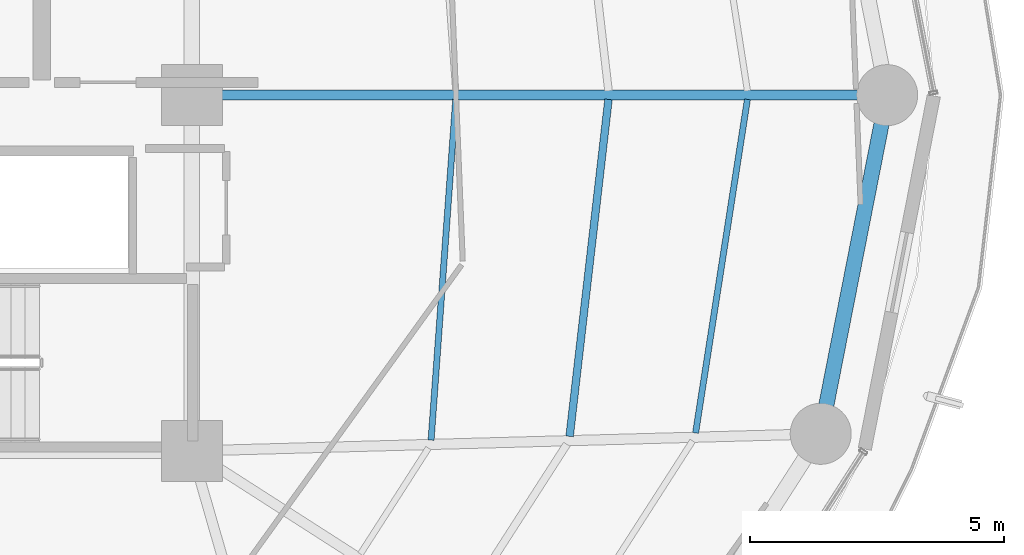
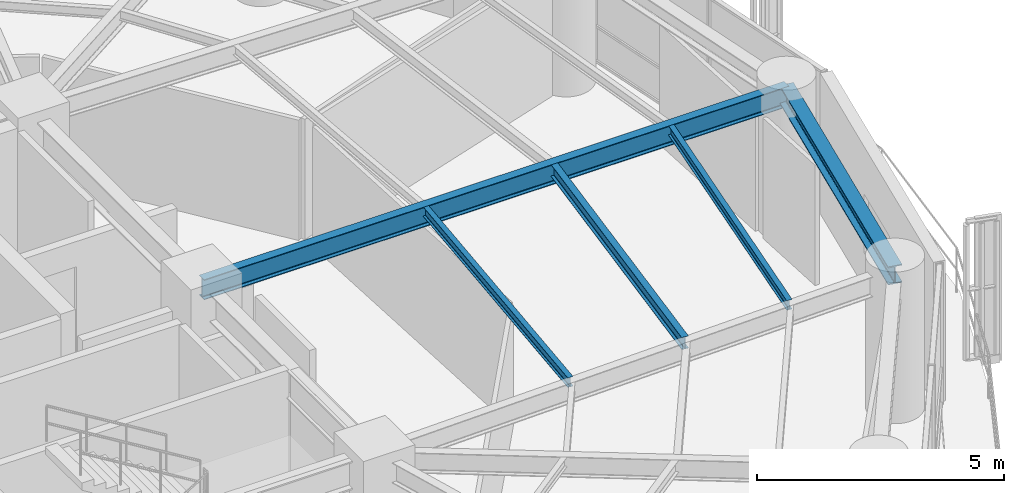
# One storey, part 12 of 27: 5 beams.
"""IFC4 building model written with IfcOpenShell, lengths in metres."""

import ifcopenshell
import ifcopenshell.guid

model = None  # the IFC model being written
_history = None  # IfcOwnerHistory: only IFC2X3 demands one
_inside = {}  # id of a spatial element -> (the spatial element, [elements in it])
_under = {}  # id of a project, library or spatial element -> (it, [spatial elements below it])
_declared = {}  # id of a project -> (the project, [libraries it declares])
_typed = {}  # id of a type object -> (the type object, [elements of that type])
_made_of = {}  # id of a material, layer set ... -> (it, [elements and type objects made of it])


def new_model(schema):
    """Start an empty IFC model of exactly this schema.

    Asked for "IFC4X3", IfcOpenShell would pick the latest addendum, in which some entities
    have other attributes; the version numbers below select the first issue.
    IFC2X3 requires an IfcOwnerHistory on every rooted entity: one is made here for all.
    """
    global model, _history
    if schema == "IFC4X3":
        model = ifcopenshell.file(schema_version=(4, 3, 0, 0))
    else:
        model = ifcopenshell.file(schema=schema)
    _inside.clear()
    _under.clear()
    _declared.clear()
    _typed.clear()
    _made_of.clear()
    _history = None
    if model.schema == "IFC2X3":
        org = make("IfcOrganization", Name="unknown")
        user = make(
            "IfcPersonAndOrganization",
            ThePerson=make("IfcPerson", FamilyName="unknown"),
            TheOrganization=org,
        )
        app = make(
            "IfcApplication",
            ApplicationDeveloper=org,
            Version="unknown",
            ApplicationFullName="unknown",
            ApplicationIdentifier="unknown",
        )
        _history = make(
            "IfcOwnerHistory",
            OwningUser=user,
            OwningApplication=app,
            ChangeAction="ADDED",
            CreationDate=0,
        )
    return model


def make(cls, **values):
    """One entity of the class cls with the attributes given. An attribute that is None is left unset."""
    return model.create_entity(
        cls, **{name: value for name, value in values.items() if value is not None}
    )


def rooted(cls, **values):
    """An entity with a GlobalId (a new one), such as an element, a storey or a relation."""
    return make(cls, GlobalId=ifcopenshell.guid.new(), OwnerHistory=_history, **values)


def si_unit(unit_type, name, prefix=None):
    """IfcSIUnit, for example si_unit("LENGTHUNIT", "METRE", prefix="MILLI")."""
    return make("IfcSIUnit", UnitType=unit_type, Prefix=prefix, Name=name)


def assignment(units):
    """IfcUnitAssignment: the units of a project."""
    return None if units is None else make("IfcUnitAssignment", Units=units)


def point(xyz):
    """IfcCartesianPoint."""
    return None if xyz is None else make("IfcCartesianPoint", Coordinates=xyz)


def direction(xyz):
    """IfcDirection."""
    return None if xyz is None else make("IfcDirection", DirectionRatios=xyz)


def frame(location, z_axis=None, x_axis=None):
    """IfcAxis2Placement3D, a coordinate frame: its origin and axes. An axis left out is left unset."""
    return make(
        "IfcAxis2Placement3D",
        Location=point(location),
        Axis=direction(z_axis),
        RefDirection=direction(x_axis),
    )


def frame_2d(location, x_axis=None):
    """IfcAxis2Placement2D, a coordinate frame in the plane: its origin and x axis."""
    return make(
        "IfcAxis2Placement2D", Location=point(location), RefDirection=direction(x_axis)
    )


def origin():
    """The frame at (0, 0, 0) with its axes left unset."""
    return frame((0.0, 0.0, 0.0))


def origin_2d():
    """The frame at (0, 0) in the plane with its x axis left unset."""
    return frame_2d((0.0, 0.0))


def place(relative_to, where):
    """IfcLocalPlacement: puts the frame where relative to a parent placement (None: the world)."""
    return make(
        "IfcLocalPlacement", PlacementRelTo=relative_to, RelativePlacement=where
    )


def context(
    kind, dimensions, precision=None, world=None, true_north=None, identifier=None
):
    """IfcGeometricRepresentationContext, for example the 3D "Model" context."""
    return make(
        "IfcGeometricRepresentationContext",
        ContextIdentifier=identifier,
        ContextType=kind,
        CoordinateSpaceDimension=dimensions,
        Precision=precision,
        WorldCoordinateSystem=world,
        TrueNorth=true_north,
    )


def subcontext(parent, identifier, kind, view, scale=None):
    """IfcGeometricRepresentationSubContext, for example "Body" below "Model"."""
    return make(
        "IfcGeometricRepresentationSubContext",
        ContextIdentifier=identifier,
        ContextType=kind,
        ParentContext=parent,
        TargetScale=scale,
        TargetView=view,
    )


def project(units=None, contexts=None):
    """IfcProject with its units and contexts."""
    return rooted(
        "IfcProject",
        Name="project",
        RepresentationContexts=contexts,
        UnitsInContext=assignment(units),
    )


def spatial(cls, under=None, at=None, **own):
    """A site, building, storey or space (cls), placed at a placement, below another one or the project."""
    s = rooted(cls, ObjectPlacement=at, **own)
    if under is not None:
        _under.setdefault(under.id(), (under, []))[1].append(s)
    return s


def profile(cls, at=None, kind="AREA", **sizes):
    """A parametric profile (cls). Its sizes go by their IFC names, for example OverallWidth=200.0."""
    return make(cls, ProfileType=kind, Position=at, **sizes)


def i_section(**sizes):
    """IfcIShapeProfileDef."""
    return profile("IfcIShapeProfileDef", **sizes)


def extrude(swept, where, along, depth):
    """IfcExtrudedAreaSolid: the profile swept, set in the frame where, extruded along a direction by depth."""
    return make(
        "IfcExtrudedAreaSolid",
        SweptArea=swept,
        Position=where,
        ExtrudedDirection=direction(along),
        Depth=depth,
    )


def shape(context_of_items, identifier, shape_type, items):
    """IfcShapeRepresentation: the items that make up one representation, for example the "Body"."""
    return make(
        "IfcShapeRepresentation",
        ContextOfItems=context_of_items,
        RepresentationIdentifier=identifier,
        RepresentationType=shape_type,
        Items=items,
    )


def material(Name=None, Category=None):
    """IfcMaterial."""
    return make("IfcMaterial", Name=Name, Category=Category)


def material_profile(
    of_material, cross_section, Name=None, Category=None, Priority=None
):
    """IfcMaterialProfile: a cross section and its material."""
    return make(
        "IfcMaterialProfile",
        Name=Name,
        Material=of_material,
        Profile=cross_section,
        Priority=Priority,
        Category=Category,
    )


def profile_set(profiles, Name=None, composite=None):
    """IfcMaterialProfileSet."""
    return make(
        "IfcMaterialProfileSet",
        Name=Name,
        MaterialProfiles=profiles,
        CompositeProfile=composite,
    )


def made_of(thing, what):
    """Note that an element or type object is made of a material, layer set ...; save() writes the relation."""
    if what is not None:
        _made_of.setdefault(what.id(), (what, []))[1].append(thing)
    return thing


def type_object(cls, material=None, **own):
    """A type object (cls), such as IfcWallType, which elements share."""
    return made_of(rooted(cls, **own), material)


def element(
    cls,
    number,
    at=None,
    inside=None,
    cuts=None,
    type_object=None,
    material=None,
    context=None,
    identifier="Body",
    shape_type=None,
    held_by="IfcProductDefinitionShape",
    body=None,
    shapes=None,
    **own,
):
    """One element of the class cls, such as IfcWall. Its Tag is "e" and its number.

    at: its placement. inside: the storey or other place that contains it. cuts: it is an
    opening in that element (IfcRelVoidsElement). A single representation is given by context,
    identifier, shape_type and body (its items); several are given by shapes. held_by: the class
    of the entity that holds the representations. save() writes the other relations.
    """
    e = rooted(cls, Tag="e%d" % number, ObjectPlacement=at, **own)
    if body is not None:
        shapes = [shape(context, identifier, shape_type, body)]
    if shapes is not None:
        e.Representation = make(held_by, Representations=shapes)
    if inside is not None:
        _inside.setdefault(inside.id(), (inside, []))[1].append(e)
    if cuts is not None:
        rooted(
            "IfcRelVoidsElement", RelatingBuildingElement=cuts, RelatedOpeningElement=e
        )
    if type_object is not None:
        _typed.setdefault(type_object.id(), (type_object, []))[1].append(e)
    return made_of(e, material)


def aggregate(whole, parts):
    """IfcRelAggregates: a whole, such as a stair, and the parts it consists of."""
    return rooted("IfcRelAggregates", RelatingObject=whole, RelatedObjects=parts)


def save(model, path):
    """Write the relations noted so far, then the file.

    IfcRelAggregates (storeys below a building ...), IfcRelContainedInSpatialStructure (elements
    in a storey), IfcRelDefinesByType, IfcRelAssociatesMaterial and IfcRelDeclares: one each for
    every whole, place, type object, material and project.
    """
    for whole, parts in _under.values():
        aggregate(whole, parts)
    for where, things in _inside.values():
        rooted(
            "IfcRelContainedInSpatialStructure",
            RelatedElements=things,
            RelatingStructure=where,
        )
    for kind, things in _typed.values():
        rooted("IfcRelDefinesByType", RelatedObjects=things, RelatingType=kind)
    for what, things in _made_of.values():
        rooted("IfcRelAssociatesMaterial", RelatedObjects=things, RelatingMaterial=what)
    for by, libraries in _declared.values():
        rooted("IfcRelDeclares", RelatingContext=by, RelatedDefinitions=libraries)
    model.write(path)


model = new_model("IFC4")

# Units and contexts
model_context = context("Model", 3, precision=1e-05, world=origin(), true_north=direction((0.0, 1.0)))
body_context = subcontext(model_context, "Body", "Model", "MODEL_VIEW")
ifc_project = project(units=[si_unit("LENGTHUNIT", "METRE"), si_unit("AREAUNIT", "SQUARE_METRE"), si_unit("VOLUMEUNIT", "CUBIC_METRE"), si_unit("PLANEANGLEUNIT", "RADIAN"), si_unit("MASSUNIT", "GRAM", prefix="KILO")], contexts=[model_context])

# Site, building, storey
site_placement = place(None, origin())
site = spatial("IfcSite", under=ifc_project, at=site_placement, CompositionType="ELEMENT")
building_placement = place(site_placement, origin())
building = spatial("IfcBuilding", under=site, at=building_placement, Name="Kelanora Arch Commons", CompositionType="ELEMENT")
storey_placement = place(building_placement, frame((0.0, 0.0, 173.10009765625)))
storey = spatial("IfcBuildingStorey", under=building, at=storey_placement, Name="L44", CompositionType="ELEMENT", Elevation=173.10009765625)

# Beams
ifc_material = material(Name="Steel S355", Category="steel")
ifc_material_profile_1 = material_profile(ifc_material, i_section(OverallWidth=0.14990234375, OverallDepth=0.300048828125, WebThickness=0.007080078125, FlangeThickness=0.0107421875, FilletRadius=0.014892578125, at=origin_2d()), Name="IPE300")
ifc_profile_set_1 = profile_set([ifc_material_profile_1], Name="Steel S355")
beam_type_1 = type_object("IfcBeamType", Name="BM-JST-01", PredefinedType="JOIST", material=ifc_profile_set_1)
beam_1_placement = place(storey_placement, frame((89.43310546875, 51.286865234375, 3.33984375), z_axis=(0.114667159005, 0.9934039675, 0.0), x_axis=(-0.9934039675, 0.114667159005, 0.0)))
element("IfcBeam", 1, at=beam_1_placement, inside=storey, type_object=beam_type_1, Name="Secondary Chord Joist BJB-34 L44", PredefinedType="JOIST", context=body_context, shape_type="SweptSolid", body=[
    extrude(i_section(OverallWidth=0.14990234375, OverallDepth=0.300048828125, WebThickness=0.007080078125, FlangeThickness=0.0107421875, FilletRadius=0.014892578125, at=origin_2d()), origin(), (0.0, 0.0, 1.0), 6.672607421875),
])
ifc_material_profile_2 = material_profile(ifc_material, i_section(OverallWidth=0.1201171875, OverallDepth=0.239990234375, WebThickness=0.006103515625, FlangeThickness=0.009765625, FilletRadius=0.014892578125, at=origin_2d()), Name="IPE240")
ifc_profile_set_2 = profile_set([ifc_material_profile_2], Name="Steel S355")
beam_type_2 = type_object("IfcBeamType", Name="BM-JST-02", PredefinedType="JOIST", material=ifc_profile_set_2)
beam_2_placement = place(storey_placement, frame((86.707763671875, 51.212890625, 3.369873046875), z_axis=(0.072117123738, 0.997396170267, 0.0), x_axis=(-0.997396170267, 0.072117123738, 0.0)))
element("IfcBeam", 2, at=beam_2_placement, inside=storey, type_object=beam_type_2, Name="Secondary Chord Joist BJA-34 L44", PredefinedType="JOIST", context=body_context, shape_type="SweptSolid", body=[
    extrude(i_section(OverallWidth=0.1201171875, OverallDepth=0.239990234375, WebThickness=0.006103515625, FlangeThickness=0.009765625, FilletRadius=0.014892578125, at=origin_2d()), origin(), (0.0, 0.0, 1.0), 6.719970703125),
])
beam_3_placement = place(storey_placement, frame((91.9111328125, 51.35400390625, 3.369873046875), z_axis=(0.153562625853, 0.988138917329, 0.0), x_axis=(-0.988138917329, 0.153562625853, 0.0)))
element("IfcBeam", 3, at=beam_3_placement, inside=storey, type_object=beam_type_2, Name="Secondary Chord Joist BJC-34 L44", PredefinedType="JOIST", context=body_context, shape_type="SweptSolid", body=[
    extrude(i_section(OverallWidth=0.1201171875, OverallDepth=0.239990234375, WebThickness=0.006103515625, FlangeThickness=0.009765625, FilletRadius=0.014892578125, at=origin_2d()), origin(), (0.0, 0.0, 1.0), 6.640869140625),
])
ifc_material_profile_3 = material_profile(ifc_material, i_section(OverallWidth=0.199951171875, OverallDepth=0.5, WebThickness=0.01025390625, FlangeThickness=0.01611328125, FilletRadius=0.02099609375, at=origin_2d()), Name="IPE500")
ifc_profile_set_3 = profile_set([ifc_material_profile_3], Name="Steel S355")
beam_type_3 = type_object("IfcBeamType", Name="BM-RAD-Z3", PredefinedType="BEAM", material=ifc_profile_set_3)
beam_4_placement = place(storey_placement, frame((82.0, 58.0, 3.239990234375), z_axis=(1.0, 0.0, 0.0), x_axis=(0.0, 1.0, 0.0)))
element("IfcBeam", 4, at=beam_4_placement, inside=storey, type_object=beam_type_3, Name="Radial Floor Girder BR-00 L44", PredefinedType="BEAM", context=body_context, shape_type="SweptSolid", body=[
    extrude(i_section(OverallWidth=0.199951171875, OverallDepth=0.5, WebThickness=0.01025390625, FlangeThickness=0.01611328125, FilletRadius=0.02099609375, at=origin_2d()), origin(), (0.0, 0.0, 1.0), 13.679931640625),
])
ifc_material_profile_4 = material_profile(ifc_material, i_section(OverallWidth=0.300048828125, OverallDepth=0.449951171875, WebThickness=0.013916015625, FlangeThickness=0.02587890625, FilletRadius=0.027099609375, at=origin_2d()), Name="HEB450")
ifc_profile_set_4 = profile_set([ifc_material_profile_4], Name="Steel S355")
beam_type_4 = type_object("IfcBeamType", Name="BM-SPN-Z3", PredefinedType="SPANDREL", material=ifc_profile_set_4)
beam_5_placement = place(storey_placement, frame((94.37255859375, 51.33740234375, 3.264892578125), z_axis=(0.192553643556, 0.981286448675, 0.0), x_axis=(-0.981286448675, 0.192553643556, 0.0)))
element("IfcBeam", 5, at=beam_5_placement, inside=storey, type_object=beam_type_4, Name="Perimeter Spandrel Beam BS-34 L44", PredefinedType="SPANDREL", context=body_context, shape_type="SweptSolid", body=[
    extrude(i_section(OverallWidth=0.300048828125, OverallDepth=0.449951171875, WebThickness=0.013916015625, FlangeThickness=0.02587890625, FilletRadius=0.027099609375, at=origin_2d()), origin(), (0.0, 0.0, 1.0), 6.78955078125),
])

save(model, "model.ifc")
